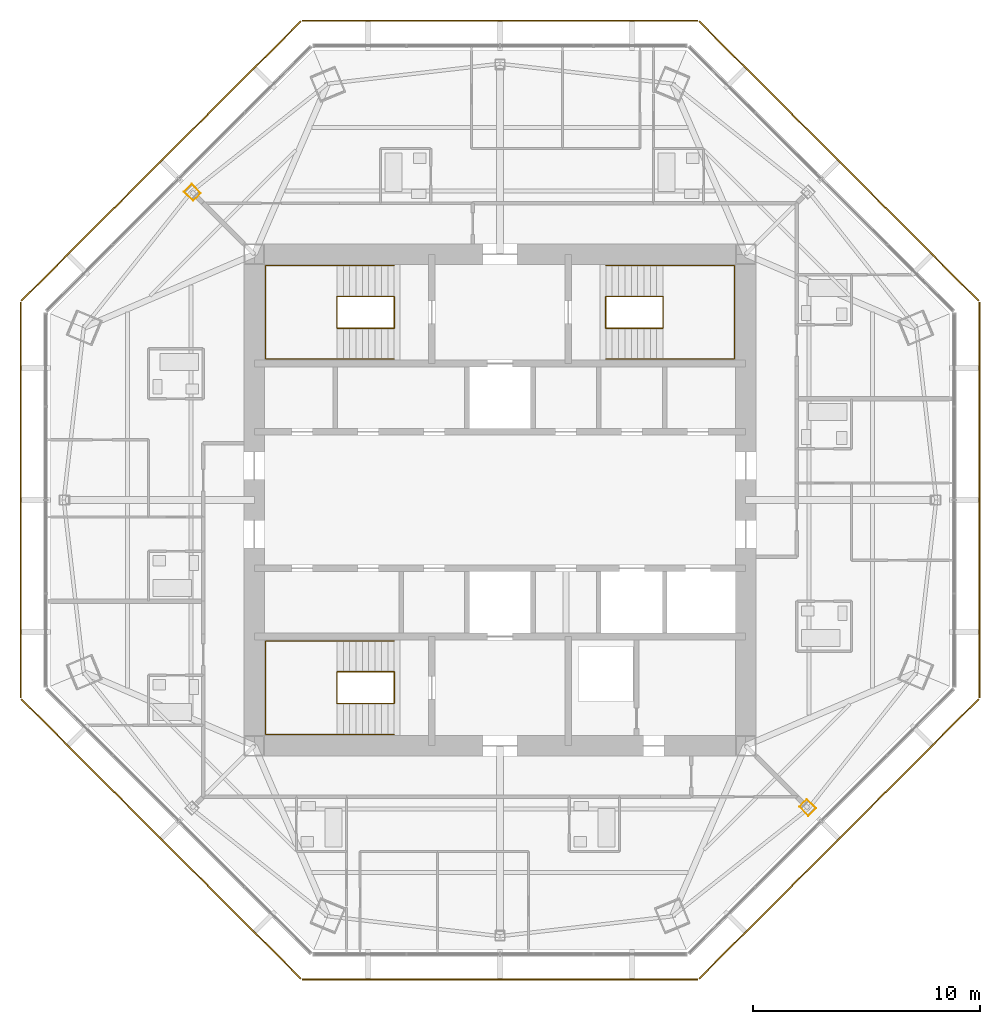
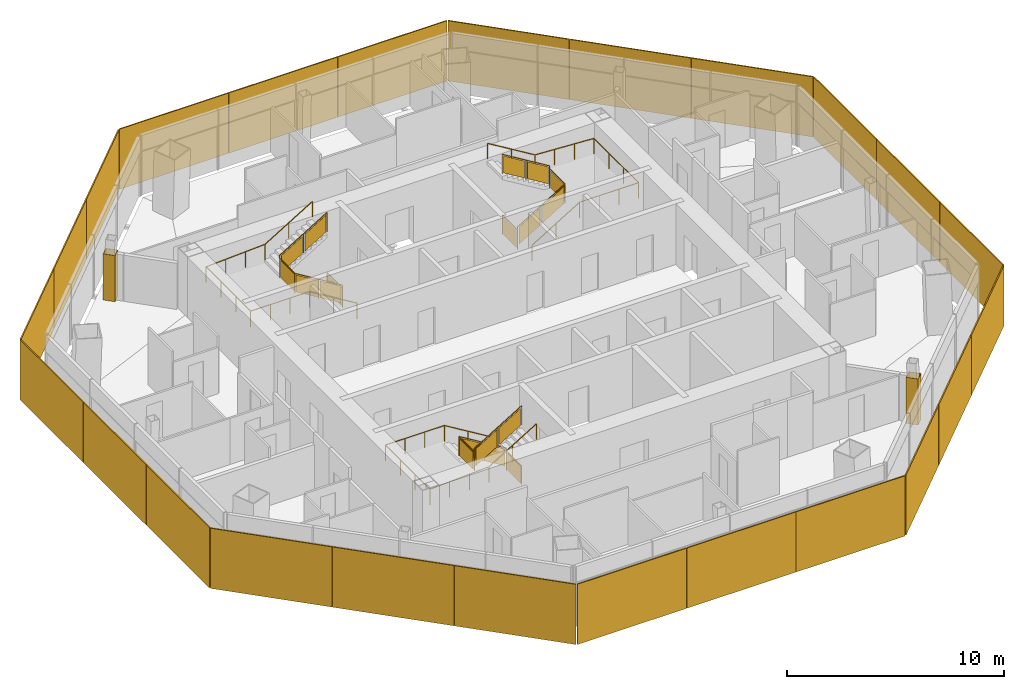
# One storey, part 13 of 14: 24 shading devices, 6 railings, 2 coverings.
"""IFC4 building model written with IfcOpenShell, lengths in metres."""

import ifcopenshell
import ifcopenshell.guid

model = None  # the IFC model being written
_history = None  # IfcOwnerHistory: only IFC2X3 demands one
_inside = {}  # id of a spatial element -> (the spatial element, [elements in it])
_under = {}  # id of a project, library or spatial element -> (it, [spatial elements below it])
_declared = {}  # id of a project -> (the project, [libraries it declares])
_typed = {}  # id of a type object -> (the type object, [elements of that type])
_made_of = {}  # id of a material, layer set ... -> (it, [elements and type objects made of it])


def new_model(schema):
    """Start an empty IFC model of exactly this schema.

    Asked for "IFC4X3", IfcOpenShell would pick the latest addendum, in which some entities
    have other attributes; the version numbers below select the first issue.
    IFC2X3 requires an IfcOwnerHistory on every rooted entity: one is made here for all.
    """
    global model, _history
    if schema == "IFC4X3":
        model = ifcopenshell.file(schema_version=(4, 3, 0, 0))
    else:
        model = ifcopenshell.file(schema=schema)
    _inside.clear()
    _under.clear()
    _declared.clear()
    _typed.clear()
    _made_of.clear()
    _history = None
    if model.schema == "IFC2X3":
        org = make("IfcOrganization", Name="unknown")
        user = make(
            "IfcPersonAndOrganization",
            ThePerson=make("IfcPerson", FamilyName="unknown"),
            TheOrganization=org,
        )
        app = make(
            "IfcApplication",
            ApplicationDeveloper=org,
            Version="unknown",
            ApplicationFullName="unknown",
            ApplicationIdentifier="unknown",
        )
        _history = make(
            "IfcOwnerHistory",
            OwningUser=user,
            OwningApplication=app,
            ChangeAction="ADDED",
            CreationDate=0,
        )
    return model


def make(cls, **values):
    """One entity of the class cls with the attributes given. An attribute that is None is left unset."""
    return model.create_entity(
        cls, **{name: value for name, value in values.items() if value is not None}
    )


def rooted(cls, **values):
    """An entity with a GlobalId (a new one), such as an element, a storey or a relation."""
    return make(cls, GlobalId=ifcopenshell.guid.new(), OwnerHistory=_history, **values)


def si_unit(unit_type, name, prefix=None):
    """IfcSIUnit, for example si_unit("LENGTHUNIT", "METRE", prefix="MILLI")."""
    return make("IfcSIUnit", UnitType=unit_type, Prefix=prefix, Name=name)


def assignment(units):
    """IfcUnitAssignment: the units of a project."""
    return None if units is None else make("IfcUnitAssignment", Units=units)


def point(xyz):
    """IfcCartesianPoint."""
    return None if xyz is None else make("IfcCartesianPoint", Coordinates=xyz)


def direction(xyz):
    """IfcDirection."""
    return None if xyz is None else make("IfcDirection", DirectionRatios=xyz)


def frame(location, z_axis=None, x_axis=None):
    """IfcAxis2Placement3D, a coordinate frame: its origin and axes. An axis left out is left unset."""
    return make(
        "IfcAxis2Placement3D",
        Location=point(location),
        Axis=direction(z_axis),
        RefDirection=direction(x_axis),
    )


def frame_2d(location, x_axis=None):
    """IfcAxis2Placement2D, a coordinate frame in the plane: its origin and x axis."""
    return make(
        "IfcAxis2Placement2D", Location=point(location), RefDirection=direction(x_axis)
    )


def origin():
    """The frame at (0, 0, 0) with its axes left unset."""
    return frame((0.0, 0.0, 0.0))


def origin_2d():
    """The frame at (0, 0) in the plane with its x axis left unset."""
    return frame_2d((0.0, 0.0))


def place(relative_to, where):
    """IfcLocalPlacement: puts the frame where relative to a parent placement (None: the world)."""
    return make(
        "IfcLocalPlacement", PlacementRelTo=relative_to, RelativePlacement=where
    )


def context(
    kind, dimensions, precision=None, world=None, true_north=None, identifier=None
):
    """IfcGeometricRepresentationContext, for example the 3D "Model" context."""
    return make(
        "IfcGeometricRepresentationContext",
        ContextIdentifier=identifier,
        ContextType=kind,
        CoordinateSpaceDimension=dimensions,
        Precision=precision,
        WorldCoordinateSystem=world,
        TrueNorth=true_north,
    )


def subcontext(parent, identifier, kind, view, scale=None):
    """IfcGeometricRepresentationSubContext, for example "Body" below "Model"."""
    return make(
        "IfcGeometricRepresentationSubContext",
        ContextIdentifier=identifier,
        ContextType=kind,
        ParentContext=parent,
        TargetScale=scale,
        TargetView=view,
    )


def project(units=None, contexts=None):
    """IfcProject with its units and contexts."""
    return rooted(
        "IfcProject",
        Name="project",
        RepresentationContexts=contexts,
        UnitsInContext=assignment(units),
    )


def spatial(cls, under=None, at=None, **own):
    """A site, building, storey or space (cls), placed at a placement, below another one or the project."""
    s = rooted(cls, ObjectPlacement=at, **own)
    if under is not None:
        _under.setdefault(under.id(), (under, []))[1].append(s)
    return s


def polyline(points):
    """IfcPolyline through the points."""
    return make("IfcPolyline", Points=[point(p) for p in points])


def profile(cls, at=None, kind="AREA", **sizes):
    """A parametric profile (cls). Its sizes go by their IFC names, for example OverallWidth=200.0."""
    return make(cls, ProfileType=kind, Position=at, **sizes)


def rectangle(**sizes):
    """IfcRectangleProfileDef."""
    return profile("IfcRectangleProfileDef", **sizes)


def circle(**sizes):
    """IfcCircleProfileDef."""
    return profile("IfcCircleProfileDef", **sizes)


def outline(outer, holes=None, kind="AREA"):
    """IfcArbitraryClosedProfileDef: a profile drawn as a closed curve; with holes, ...WithVoids."""
    if holes is None:
        return make("IfcArbitraryClosedProfileDef", ProfileType=kind, OuterCurve=outer)
    return make(
        "IfcArbitraryProfileDefWithVoids",
        ProfileType=kind,
        OuterCurve=outer,
        InnerCurves=holes,
    )


def extrude(swept, where, along, depth):
    """IfcExtrudedAreaSolid: the profile swept, set in the frame where, extruded along a direction by depth."""
    return make(
        "IfcExtrudedAreaSolid",
        SweptArea=swept,
        Position=where,
        ExtrudedDirection=direction(along),
        Depth=depth,
    )


def shape(context_of_items, identifier, shape_type, items):
    """IfcShapeRepresentation: the items that make up one representation, for example the "Body"."""
    return make(
        "IfcShapeRepresentation",
        ContextOfItems=context_of_items,
        RepresentationIdentifier=identifier,
        RepresentationType=shape_type,
        Items=items,
    )


def source(mapping_origin, context_of_items, identifier, shape_type, items):
    """IfcRepresentationMap: a shape defined once, which mapped items show again and again."""
    return make(
        "IfcRepresentationMap",
        MappingOrigin=mapping_origin,
        MappedRepresentation=shape(context_of_items, identifier, shape_type, items),
    )


def transform(
    local_origin,
    x_axis=None,
    y_axis=None,
    z_axis=None,
    scale=None,
    scale2=None,
    scale3=None,
    uniform=True,
):
    """IfcCartesianTransformationOperator3D, or its non-uniform kind. x_axis, y_axis, z_axis: its Axis1, 2, 3."""
    if uniform:
        return make(
            "IfcCartesianTransformationOperator3D",
            Axis1=direction(x_axis),
            Axis2=direction(y_axis),
            LocalOrigin=point(local_origin),
            Scale=scale,
            Axis3=direction(z_axis),
        )
    return make(
        "IfcCartesianTransformationOperator3DnonUniform",
        Axis1=direction(x_axis),
        Axis2=direction(y_axis),
        LocalOrigin=point(local_origin),
        Scale=scale,
        Axis3=direction(z_axis),
        Scale2=scale2,
        Scale3=scale3,
    )


def mapped(mapping_source, mapping_target):
    """IfcMappedItem: shows the shape of a source again, moved by a transform."""
    return make(
        "IfcMappedItem", MappingSource=mapping_source, MappingTarget=mapping_target
    )


def material(Name=None, Category=None):
    """IfcMaterial."""
    return make("IfcMaterial", Name=Name, Category=Category)


def layer(
    of_material, thickness, ventilated=None, Name=None, Category=None, Priority=None
):
    """IfcMaterialLayer: one layer of a wall or slab, of a material (None: an air gap)."""
    return make(
        "IfcMaterialLayer",
        Material=of_material,
        LayerThickness=thickness,
        IsVentilated=ventilated,
        Name=Name,
        Category=Category,
        Priority=Priority,
    )


def layer_set(layers, Name=None):
    """IfcMaterialLayerSet."""
    return make("IfcMaterialLayerSet", MaterialLayers=layers, LayerSetName=Name)


def made_of(thing, what):
    """Note that an element or type object is made of a material, layer set ...; save() writes the relation."""
    if what is not None:
        _made_of.setdefault(what.id(), (what, []))[1].append(thing)
    return thing


def type_object(cls, material=None, **own):
    """A type object (cls), such as IfcWallType, which elements share."""
    return made_of(rooted(cls, **own), material)


def type_shapes(of_type, sources):
    """Give a type object the sources (RepresentationMaps) that its elements show as mapped items."""
    of_type.RepresentationMaps = sources


def element(
    cls,
    number,
    at=None,
    inside=None,
    cuts=None,
    type_object=None,
    material=None,
    context=None,
    identifier="Body",
    shape_type=None,
    held_by="IfcProductDefinitionShape",
    body=None,
    shapes=None,
    **own,
):
    """One element of the class cls, such as IfcWall. Its Tag is "e" and its number.

    at: its placement. inside: the storey or other place that contains it. cuts: it is an
    opening in that element (IfcRelVoidsElement). A single representation is given by context,
    identifier, shape_type and body (its items); several are given by shapes. held_by: the class
    of the entity that holds the representations. save() writes the other relations.
    """
    e = rooted(cls, Tag="e%d" % number, ObjectPlacement=at, **own)
    if body is not None:
        shapes = [shape(context, identifier, shape_type, body)]
    if shapes is not None:
        e.Representation = make(held_by, Representations=shapes)
    if inside is not None:
        _inside.setdefault(inside.id(), (inside, []))[1].append(e)
    if cuts is not None:
        rooted(
            "IfcRelVoidsElement", RelatingBuildingElement=cuts, RelatedOpeningElement=e
        )
    if type_object is not None:
        _typed.setdefault(type_object.id(), (type_object, []))[1].append(e)
    return made_of(e, material)


def aggregate(whole, parts):
    """IfcRelAggregates: a whole, such as a stair, and the parts it consists of."""
    return rooted("IfcRelAggregates", RelatingObject=whole, RelatedObjects=parts)


def save(model, path):
    """Write the relations noted so far, then the file.

    IfcRelAggregates (storeys below a building ...), IfcRelContainedInSpatialStructure (elements
    in a storey), IfcRelDefinesByType, IfcRelAssociatesMaterial and IfcRelDeclares: one each for
    every whole, place, type object, material and project.
    """
    for whole, parts in _under.values():
        aggregate(whole, parts)
    for where, things in _inside.values():
        rooted(
            "IfcRelContainedInSpatialStructure",
            RelatedElements=things,
            RelatingStructure=where,
        )
    for kind, things in _typed.values():
        rooted("IfcRelDefinesByType", RelatedObjects=things, RelatingType=kind)
    for what, things in _made_of.values():
        rooted("IfcRelAssociatesMaterial", RelatedObjects=things, RelatingMaterial=what)
    for by, libraries in _declared.values():
        rooted("IfcRelDeclares", RelatingContext=by, RelatedDefinitions=libraries)
    model.write(path)


model = new_model("IFC4")

# Units and contexts
model_context = context("Model", 3, precision=1e-05, world=origin(), true_north=direction((0.0, 1.0)))
body_context = subcontext(model_context, "Body", "Model", "MODEL_VIEW")
ifc_project = project(units=[si_unit("LENGTHUNIT", "METRE"), si_unit("AREAUNIT", "SQUARE_METRE"), si_unit("VOLUMEUNIT", "CUBIC_METRE"), si_unit("PLANEANGLEUNIT", "RADIAN"), si_unit("MASSUNIT", "GRAM", prefix="KILO")], contexts=[model_context])

# Site, building, storey
site_placement = place(None, origin())
site = spatial("IfcSite", under=ifc_project, at=site_placement, CompositionType="ELEMENT")
building_placement = place(site_placement, origin())
building = spatial("IfcBuilding", under=site, at=building_placement, Name="Mashrafa Tower", CompositionType="ELEMENT")
storey_placement = place(building_placement, frame((0.0, 0.0, 284.39990234375)))
storey = spatial("IfcBuildingStorey", under=building, at=storey_placement, Name="L69", CompositionType="ELEMENT", Elevation=284.39990234375)

# Coverings
ifc_material_1 = material(Name="Gypsum board")
ifc_layer_1 = layer(ifc_material_1, 0.014892578125)
ifc_layer_set_1 = layer_set([ifc_layer_1], Name="Column casing plasterboard 15")
covering_type = type_object("IfcCoveringType", Name="Column casing plasterboard 15", PredefinedType="CLADDING", material=ifc_layer_set_1)
covering_1_placement = place(storey_placement, origin())
element("IfcCovering", 1, at=covering_1_placement, inside=storey, type_object=covering_type, Name="Column casing L69-001", PredefinedType="CLADDING", context=body_context, shape_type="SweptSolid", body=[
    extrude(outline(polyline([(-13.894287109375, 13.554931640625), (-13.554931640625, 13.894287109375), (-13.1474609375, 13.48681640625), (-13.48681640625, 13.1474609375), (-13.894287109375, 13.554931640625)]), holes=[polyline([(-13.168701171875, 13.48681640625), (-13.554931640625, 13.873046875), (-13.873046875, 13.554931640625), (-13.48681640625, 13.168701171875), (-13.168701171875, 13.48681640625)])]), origin(), (0.0, 0.0, 1.0), 2.590576171875),
])
covering_2_placement = place(storey_placement, origin())
element("IfcCovering", 2, at=covering_2_placement, inside=storey, type_object=covering_type, Name="Column casing L69-002", PredefinedType="CLADDING", context=body_context, shape_type="SweptSolid", body=[
    extrude(outline(polyline([(13.1474609375, -13.48681640625), (13.48681640625, -13.1474609375), (13.894287109375, -13.554931640625), (13.554931640625, -13.894287109375), (13.1474609375, -13.48681640625)]), holes=[polyline([(13.873046875, -13.554931640625), (13.48681640625, -13.168701171875), (13.168701171875, -13.48681640625), (13.554931640625, -13.873046875), (13.873046875, -13.554931640625)])]), origin(), (0.0, 0.0, 1.0), 2.590576171875),
])

# Railings
ifc_material_2 = material(Name="Steel guard with glass infill", Category="steel")
railing_type_1 = type_object("IfcRailingType", Name="Stair guard 1100", PredefinedType="GUARDRAIL", material=ifc_material_2)
railing_1_placement = place(storey_placement, frame((-4.64990234375, 8.949951171875, 0.0)))
element("IfcRailing", 3, at=railing_1_placement, inside=storey, type_object=railing_type_1, Name="Stair S1 guard L69", PredefinedType="GUARDRAIL", context=body_context, shape_type="SweptSolid", body=[
    extrude(circle(Radius=0.02392578125, at=origin_2d()), frame((0.0, 0.0, 1.076171875), z_axis=(0.0, -1.0, 0.0), x_axis=(1.0, 0.0, 0.0)), (0.0, 0.0, 1.0), 1.39990234375),
    extrude(circle(Radius=0.02392578125, at=origin_2d()), frame((0.0, -1.39990234375, 1.076171875), z_axis=(0.0, 0.0, 1.0), x_axis=(1.0, 0.0, 0.0)), (0.0, 0.0, 1.0), 0.170166015625),
    extrude(circle(Radius=0.02392578125, at=origin_2d()), frame((0.0, -1.39990234375, 1.24609375), z_axis=(-0.85478489116, 0.0, 0.518982456201), x_axis=(0.0, -1.0, 0.0)), (0.0, 0.0, 1.0), 2.9482421875),
    extrude(circle(Radius=0.02392578125, at=origin_2d()), frame((-2.52001953125, -1.39990234375, 2.7763671875), z_axis=(0.0, 1.0, 0.0), x_axis=(-1.0, 0.0, 0.0)), (0.0, 0.0, 1.0), 1.39990234375),
    extrude(circle(Radius=0.02392578125, at=origin_2d()), frame((-2.52001953125, 0.0, 2.7763671875), z_axis=(0.0, 0.0, 1.0), x_axis=(1.0, 0.0, 0.0)), (0.0, 0.0, 1.0), 0.169921875),
    extrude(circle(Radius=0.02392578125, at=origin_2d()), frame((-2.52001953125, 0.0, 2.9462890625), z_axis=(0.85478489116, 0.0, 0.518982456201), x_axis=(0.0, 1.0, 0.0)), (0.0, 0.0, 1.0), 2.9482421875),
    extrude(circle(Radius=0.02099609375, at=origin_2d()), origin(), (0.0, 0.0, 1.0), 1.052001953125),
    extrude(circle(Radius=0.02099609375, at=origin_2d()), frame((0.0, -1.39990234375, 0.0)), (0.0, 0.0, 1.0), 1.052001953125),
    extrude(circle(Radius=0.02099609375, at=origin_2d()), frame((0.0, -1.39990234375, 0.170166015625)), (0.0, 0.0, 1.0), 1.052001953125),
    extrude(circle(Radius=0.02099609375, at=origin_2d()), frame((-1.260009765625, -1.39990234375, 0.93505859375)), (0.0, 0.0, 1.0), 1.052001953125),
    extrude(circle(Radius=0.02099609375, at=origin_2d()), frame((-2.52001953125, -1.39990234375, 1.7001953125)), (0.0, 0.0, 1.0), 1.052001953125),
    extrude(circle(Radius=0.02099609375, at=origin_2d()), frame((-2.52001953125, 0.0, 1.7001953125)), (0.0, 0.0, 1.0), 1.052001953125),
    extrude(circle(Radius=0.02099609375, at=origin_2d()), frame((-2.52001953125, 0.0, 1.8701171875)), (0.0, 0.0, 1.0), 1.052001953125),
    extrude(circle(Radius=0.02099609375, at=origin_2d()), frame((-1.260009765625, 0.0, 2.63525390625)), (0.0, 0.0, 1.0), 1.052001953125),
    extrude(circle(Radius=0.02099609375, at=origin_2d()), frame((0.0, 0.0, 3.400146484375)), (0.0, 0.0, 1.0), 1.052001953125),
    extrude(outline(polyline([(0.071044921875, 0.050048828125), (1.328857421875, 0.050048828125), (1.328857421875, 1.001953125), (0.071044921875, 1.001953125), (0.071044921875, 0.050048828125)])), frame((-0.006103515625, 0.0, 0.0), z_axis=(-1.0, 0.0, 0.0), x_axis=(0.0, -1.0, 0.0)), (0.0, 0.0, 1.0), 0.011962890625),
    extrude(outline(polyline([(0.071044921875, 0.093017578125), (1.18896484375, 0.77197265625), (1.18896484375, 1.723876953125), (0.071044921875, 1.045166015625), (0.071044921875, 0.093017578125)])), frame((0.0, -1.393798828125, 0.170166015625), z_axis=(0.0, 1.0, 0.0), x_axis=(-1.0, 0.0, 0.0)), (0.0, 0.0, 1.0), 0.011962890625),
    extrude(outline(polyline([(1.3310546875, 0.858154296875), (2.448974609375, 1.536865234375), (2.448974609375, 2.489013671875), (1.3310546875, 1.81005859375), (1.3310546875, 0.858154296875)])), frame((0.0, -1.393798828125, 0.170166015625), z_axis=(0.0, 1.0, 0.0), x_axis=(-1.0, 0.0, 0.0)), (0.0, 0.0, 1.0), 0.011962890625),
    extrude(outline(polyline([(0.071044921875, 0.050048828125), (1.328857421875, 0.050048828125), (1.328857421875, 1.001953125), (0.071044921875, 1.001953125), (0.071044921875, 0.050048828125)])), frame((-2.513916015625, -1.39990234375, 1.7001953125), z_axis=(1.0, 0.0, 0.0), x_axis=(0.0, 1.0, 0.0)), (0.0, 0.0, 1.0), 0.011962890625),
    extrude(outline(polyline([(0.071044921875, 0.093017578125), (1.18896484375, 0.77197265625), (1.18896484375, 1.723876953125), (0.071044921875, 1.045166015625), (0.071044921875, 0.093017578125)])), frame((-2.52001953125, -0.006103515625, 1.8701171875), z_axis=(0.0, -1.0, 0.0), x_axis=(1.0, 0.0, 0.0)), (0.0, 0.0, 1.0), 0.011962890625),
    extrude(outline(polyline([(1.3310546875, 0.858154296875), (2.448974609375, 1.536865234375), (2.448974609375, 2.489013671875), (1.3310546875, 1.81005859375), (1.3310546875, 0.858154296875)])), frame((-2.52001953125, -0.006103515625, 1.8701171875), z_axis=(0.0, -1.0, 0.0), x_axis=(1.0, 0.0, 0.0)), (0.0, 0.0, 1.0), 0.011962890625),
])
railing_2_placement = place(storey_placement, frame((4.64990234375, 8.949951171875, 0.0)))
element("IfcRailing", 4, at=railing_2_placement, inside=storey, type_object=railing_type_1, Name="Stair S2 guard L69", PredefinedType="GUARDRAIL", context=body_context, shape_type="SweptSolid", body=[
    extrude(circle(Radius=0.02392578125, at=origin_2d()), frame((0.0, 0.0, 1.076171875), z_axis=(0.0, -1.0, 0.0), x_axis=(1.0, 0.0, 0.0)), (0.0, 0.0, 1.0), 1.39990234375),
    extrude(circle(Radius=0.02392578125, at=origin_2d()), frame((0.0, -1.39990234375, 1.076171875), z_axis=(0.0, 0.0, 1.0), x_axis=(1.0, 0.0, 0.0)), (0.0, 0.0, 1.0), 0.170166015625),
    extrude(circle(Radius=0.02392578125, at=origin_2d()), frame((0.0, -1.39990234375, 1.24609375), z_axis=(0.85478489116, 0.0, 0.518982456201), x_axis=(0.0, 1.0, 0.0)), (0.0, 0.0, 1.0), 2.9482421875),
    extrude(circle(Radius=0.02392578125, at=origin_2d()), frame((2.52001953125, -1.39990234375, 2.7763671875), z_axis=(0.0, 1.0, 0.0), x_axis=(-1.0, 0.0, 0.0)), (0.0, 0.0, 1.0), 1.39990234375),
    extrude(circle(Radius=0.02392578125, at=origin_2d()), frame((2.52001953125, 0.0, 2.7763671875), z_axis=(0.0, 0.0, 1.0), x_axis=(1.0, 0.0, 0.0)), (0.0, 0.0, 1.0), 0.169921875),
    extrude(circle(Radius=0.02392578125, at=origin_2d()), frame((2.52001953125, 0.0, 2.9462890625), z_axis=(-0.85478489116, 0.0, 0.518982456201), x_axis=(0.0, -1.0, 0.0)), (0.0, 0.0, 1.0), 2.9482421875),
    extrude(circle(Radius=0.02099609375, at=origin_2d()), origin(), (0.0, 0.0, 1.0), 1.052001953125),
    extrude(circle(Radius=0.02099609375, at=origin_2d()), frame((0.0, -1.39990234375, 0.0)), (0.0, 0.0, 1.0), 1.052001953125),
    extrude(circle(Radius=0.02099609375, at=origin_2d()), frame((0.0, -1.39990234375, 0.170166015625)), (0.0, 0.0, 1.0), 1.052001953125),
    extrude(circle(Radius=0.02099609375, at=origin_2d()), frame((1.260009765625, -1.39990234375, 0.93505859375)), (0.0, 0.0, 1.0), 1.052001953125),
    extrude(circle(Radius=0.02099609375, at=origin_2d()), frame((2.52001953125, -1.39990234375, 1.7001953125)), (0.0, 0.0, 1.0), 1.052001953125),
    extrude(circle(Radius=0.02099609375, at=origin_2d()), frame((2.52001953125, 0.0, 1.7001953125)), (0.0, 0.0, 1.0), 1.052001953125),
    extrude(circle(Radius=0.02099609375, at=origin_2d()), frame((2.52001953125, 0.0, 1.8701171875)), (0.0, 0.0, 1.0), 1.052001953125),
    extrude(circle(Radius=0.02099609375, at=origin_2d()), frame((1.260009765625, 0.0, 2.63525390625)), (0.0, 0.0, 1.0), 1.052001953125),
    extrude(circle(Radius=0.02099609375, at=origin_2d()), frame((0.0, 0.0, 3.400146484375)), (0.0, 0.0, 1.0), 1.052001953125),
    extrude(outline(polyline([(0.071044921875, 0.050048828125), (1.328857421875, 0.050048828125), (1.328857421875, 1.001953125), (0.071044921875, 1.001953125), (0.071044921875, 0.050048828125)])), frame((-0.006103515625, 0.0, 0.0), z_axis=(-1.0, 0.0, 0.0), x_axis=(0.0, -1.0, 0.0)), (0.0, 0.0, 1.0), 0.011962890625),
    extrude(outline(polyline([(0.071044921875, 0.093017578125), (1.18896484375, 0.77197265625), (1.18896484375, 1.723876953125), (0.071044921875, 1.045166015625), (0.071044921875, 0.093017578125)])), frame((0.0, -1.406005859375, 0.170166015625), z_axis=(0.0, -1.0, 0.0), x_axis=(1.0, 0.0, 0.0)), (0.0, 0.0, 1.0), 0.011962890625),
    extrude(outline(polyline([(1.3310546875, 0.858154296875), (2.448974609375, 1.536865234375), (2.448974609375, 2.489013671875), (1.3310546875, 1.81005859375), (1.3310546875, 0.858154296875)])), frame((0.0, -1.406005859375, 0.170166015625), z_axis=(0.0, -1.0, 0.0), x_axis=(1.0, 0.0, 0.0)), (0.0, 0.0, 1.0), 0.011962890625),
    extrude(outline(polyline([(0.071044921875, 0.050048828125), (1.328857421875, 0.050048828125), (1.328857421875, 1.001953125), (0.071044921875, 1.001953125), (0.071044921875, 0.050048828125)])), frame((2.526123046875, -1.39990234375, 1.7001953125), z_axis=(1.0, 0.0, 0.0), x_axis=(0.0, 1.0, 0.0)), (0.0, 0.0, 1.0), 0.011962890625),
    extrude(outline(polyline([(0.071044921875, 0.093017578125), (1.18896484375, 0.77197265625), (1.18896484375, 1.723876953125), (0.071044921875, 1.045166015625), (0.071044921875, 0.093017578125)])), frame((2.52001953125, 0.006103515625, 1.8701171875), z_axis=(0.0, 1.0, 0.0), x_axis=(-1.0, 0.0, 0.0)), (0.0, 0.0, 1.0), 0.011962890625),
    extrude(outline(polyline([(1.3310546875, 0.858154296875), (2.448974609375, 1.536865234375), (2.448974609375, 2.489013671875), (1.3310546875, 1.81005859375), (1.3310546875, 0.858154296875)])), frame((2.52001953125, 0.006103515625, 1.8701171875), z_axis=(0.0, 1.0, 0.0), x_axis=(-1.0, 0.0, 0.0)), (0.0, 0.0, 1.0), 0.011962890625),
])
railing_3_placement = place(storey_placement, frame((-4.64990234375, -8.949951171875, 0.0)))
element("IfcRailing", 5, at=railing_3_placement, inside=storey, type_object=railing_type_1, Name="Stair S3 guard L69", PredefinedType="GUARDRAIL", context=body_context, shape_type="SweptSolid", body=[
    extrude(circle(Radius=0.02392578125, at=origin_2d()), frame((0.0, 0.0, 1.076171875), z_axis=(0.0, 1.0, 0.0), x_axis=(-1.0, 0.0, 0.0)), (0.0, 0.0, 1.0), 1.39990234375),
    extrude(circle(Radius=0.02392578125, at=origin_2d()), frame((0.0, 1.39990234375, 1.076171875), z_axis=(0.0, 0.0, 1.0), x_axis=(1.0, 0.0, 0.0)), (0.0, 0.0, 1.0), 0.170166015625),
    extrude(circle(Radius=0.02392578125, at=origin_2d()), frame((0.0, 1.39990234375, 1.24609375), z_axis=(-0.85478489116, 0.0, 0.518982456201), x_axis=(0.0, -1.0, 0.0)), (0.0, 0.0, 1.0), 2.9482421875),
    extrude(circle(Radius=0.02392578125, at=origin_2d()), frame((-2.52001953125, 1.39990234375, 2.7763671875), z_axis=(0.0, -1.0, 0.0), x_axis=(1.0, 0.0, 0.0)), (0.0, 0.0, 1.0), 1.39990234375),
    extrude(circle(Radius=0.02392578125, at=origin_2d()), frame((-2.52001953125, 0.0, 2.7763671875), z_axis=(0.0, 0.0, 1.0), x_axis=(1.0, 0.0, 0.0)), (0.0, 0.0, 1.0), 0.169921875),
    extrude(circle(Radius=0.02392578125, at=origin_2d()), frame((-2.52001953125, 0.0, 2.9462890625), z_axis=(0.85478489116, 0.0, 0.518982456201), x_axis=(0.0, 1.0, 0.0)), (0.0, 0.0, 1.0), 2.9482421875),
    extrude(circle(Radius=0.02099609375, at=origin_2d()), origin(), (0.0, 0.0, 1.0), 1.052001953125),
    extrude(circle(Radius=0.02099609375, at=origin_2d()), frame((0.0, 1.39990234375, 0.0)), (0.0, 0.0, 1.0), 1.052001953125),
    extrude(circle(Radius=0.02099609375, at=origin_2d()), frame((0.0, 1.39990234375, 0.170166015625)), (0.0, 0.0, 1.0), 1.052001953125),
    extrude(circle(Radius=0.02099609375, at=origin_2d()), frame((-1.260009765625, 1.39990234375, 0.93505859375)), (0.0, 0.0, 1.0), 1.052001953125),
    extrude(circle(Radius=0.02099609375, at=origin_2d()), frame((-2.52001953125, 1.39990234375, 1.7001953125)), (0.0, 0.0, 1.0), 1.052001953125),
    extrude(circle(Radius=0.02099609375, at=origin_2d()), frame((-2.52001953125, 0.0, 1.7001953125)), (0.0, 0.0, 1.0), 1.052001953125),
    extrude(circle(Radius=0.02099609375, at=origin_2d()), frame((-2.52001953125, 0.0, 1.8701171875)), (0.0, 0.0, 1.0), 1.052001953125),
    extrude(circle(Radius=0.02099609375, at=origin_2d()), frame((-1.260009765625, 0.0, 2.63525390625)), (0.0, 0.0, 1.0), 1.052001953125),
    extrude(circle(Radius=0.02099609375, at=origin_2d()), frame((0.0, 0.0, 3.400146484375)), (0.0, 0.0, 1.0), 1.052001953125),
    extrude(outline(polyline([(0.071044921875, 0.050048828125), (1.328857421875, 0.050048828125), (1.328857421875, 1.001953125), (0.071044921875, 1.001953125), (0.071044921875, 0.050048828125)])), frame((0.006103515625, 0.0, 0.0), z_axis=(1.0, 0.0, 0.0), x_axis=(0.0, 1.0, 0.0)), (0.0, 0.0, 1.0), 0.011962890625),
    extrude(outline(polyline([(0.071044921875, 0.093017578125), (1.18896484375, 0.77197265625), (1.18896484375, 1.723876953125), (0.071044921875, 1.045166015625), (0.071044921875, 0.093017578125)])), frame((0.0, 1.406005859375, 0.170166015625), z_axis=(0.0, 1.0, 0.0), x_axis=(-1.0, 0.0, 0.0)), (0.0, 0.0, 1.0), 0.011962890625),
    extrude(outline(polyline([(1.3310546875, 0.858154296875), (2.448974609375, 1.536865234375), (2.448974609375, 2.489013671875), (1.3310546875, 1.81005859375), (1.3310546875, 0.858154296875)])), frame((0.0, 1.406005859375, 0.170166015625), z_axis=(0.0, 1.0, 0.0), x_axis=(-1.0, 0.0, 0.0)), (0.0, 0.0, 1.0), 0.011962890625),
    extrude(outline(polyline([(0.071044921875, 0.050048828125), (1.328857421875, 0.050048828125), (1.328857421875, 1.001953125), (0.071044921875, 1.001953125), (0.071044921875, 0.050048828125)])), frame((-2.526123046875, 1.39990234375, 1.7001953125), z_axis=(-1.0, 0.0, 0.0), x_axis=(0.0, -1.0, 0.0)), (0.0, 0.0, 1.0), 0.011962890625),
    extrude(outline(polyline([(0.071044921875, 0.093017578125), (1.18896484375, 0.77197265625), (1.18896484375, 1.723876953125), (0.071044921875, 1.045166015625), (0.071044921875, 0.093017578125)])), frame((-2.52001953125, -0.006103515625, 1.8701171875), z_axis=(0.0, -1.0, 0.0), x_axis=(1.0, 0.0, 0.0)), (0.0, 0.0, 1.0), 0.011962890625),
    extrude(outline(polyline([(1.3310546875, 0.858154296875), (2.448974609375, 1.536865234375), (2.448974609375, 2.489013671875), (1.3310546875, 1.81005859375), (1.3310546875, 0.858154296875)])), frame((-2.52001953125, -0.006103515625, 1.8701171875), z_axis=(0.0, -1.0, 0.0), x_axis=(1.0, 0.0, 0.0)), (0.0, 0.0, 1.0), 0.011962890625),
])
ifc_material_3 = material(Name="Steel", Category="steel")
railing_type_2 = type_object("IfcRailingType", Name="Stair handrail 900", PredefinedType="HANDRAIL", material=ifc_material_3)
railing_4_placement = place(storey_placement, frame((-4.64990234375, 6.199951171875, 0.170166015625)))
element("IfcRailing", 6, at=railing_4_placement, inside=storey, type_object=railing_type_2, Name="Stair S1 handrail L69", PredefinedType="HANDRAIL", context=body_context, shape_type="SweptSolid", body=[
    extrude(circle(Radius=0.02392578125, at=origin_2d()), frame((0.0, 0.0, 0.8759765625), z_axis=(-0.85478489116, 0.0, 0.518982456201), x_axis=(0.0, -1.0, 0.0)), (0.0, 0.0, 1.0), 2.9482421875),
    extrude(circle(Radius=0.02392578125, at=origin_2d()), frame((-2.52001953125, 0.0, 2.40576171875), z_axis=(-1.0, 0.0, 0.0), x_axis=(0.0, -1.0, 0.0)), (0.0, 0.0, 1.0), 3.130126953125),
    extrude(circle(Radius=0.02392578125, at=origin_2d()), frame((-5.650146484375, 0.0, 2.40576171875), z_axis=(0.0, 1.0, 0.0), x_axis=(-1.0, 0.0, 0.0)), (0.0, 0.0, 1.0), 4.10009765625),
    extrude(circle(Radius=0.02392578125, at=origin_2d()), frame((-5.650146484375, 4.10009765625, 2.40576171875), z_axis=(0.998529767259, 0.0, 0.054206124172), x_axis=(0.0, 1.0, 0.0)), (0.0, 0.0, 1.0), 3.134765625),
    extrude(circle(Radius=0.02392578125, at=origin_2d()), frame((-2.52001953125, 4.10009765625, 2.57568359375), z_axis=(0.85478489116, 0.0, 0.518982456201), x_axis=(0.0, 1.0, 0.0)), (0.0, 0.0, 1.0), 2.9482421875),
    extrude(circle(Radius=0.02099609375, at=origin_2d()), origin(), (0.0, 0.0, 1.0), 0.851806640625),
    extrude(circle(Radius=0.02099609375, at=origin_2d()), frame((-1.260009765625, 0.0, 0.76513671875)), (0.0, 0.0, 1.0), 0.851806640625),
    extrude(circle(Radius=0.02099609375, at=origin_2d()), frame((-2.52001953125, 0.0, 1.530029296875)), (0.0, 0.0, 1.0), 0.851806640625),
    extrude(circle(Radius=0.02099609375, at=origin_2d()), frame((-3.5634765625, 0.0, 1.530029296875)), (0.0, 0.0, 1.0), 0.851806640625),
    extrude(circle(Radius=0.02099609375, at=origin_2d()), frame((-4.606689453125, 0.0, 1.530029296875)), (0.0, 0.0, 1.0), 0.851806640625),
    extrude(circle(Radius=0.02099609375, at=origin_2d()), frame((-5.650146484375, 0.0, 1.530029296875)), (0.0, 0.0, 1.0), 0.851806640625),
    extrude(circle(Radius=0.02099609375, at=origin_2d()), frame((-5.650146484375, 1.36669921875, 1.530029296875)), (0.0, 0.0, 1.0), 0.851806640625),
    extrude(circle(Radius=0.02099609375, at=origin_2d()), frame((-5.650146484375, 2.7333984375, 1.530029296875)), (0.0, 0.0, 1.0), 0.851806640625),
    extrude(circle(Radius=0.02099609375, at=origin_2d()), frame((-5.650146484375, 4.10009765625, 1.530029296875)), (0.0, 0.0, 1.0), 0.851806640625),
    extrude(circle(Radius=0.02099609375, at=origin_2d()), frame((-4.606689453125, 4.10009765625, 1.586669921875)), (0.0, 0.0, 1.0), 0.851806640625),
    extrude(circle(Radius=0.02099609375, at=origin_2d()), frame((-3.5634765625, 4.10009765625, 1.643310546875)), (0.0, 0.0, 1.0), 0.851806640625),
    extrude(circle(Radius=0.02099609375, at=origin_2d()), frame((-2.52001953125, 4.10009765625, 1.699951171875)), (0.0, 0.0, 1.0), 0.851806640625),
    extrude(circle(Radius=0.02099609375, at=origin_2d()), frame((-1.260009765625, 4.10009765625, 2.46484375)), (0.0, 0.0, 1.0), 0.851806640625),
    extrude(circle(Radius=0.02099609375, at=origin_2d()), frame((0.0, 4.10009765625, 3.22998046875)), (0.0, 0.0, 1.0), 0.851806640625),
])
railing_5_placement = place(storey_placement, frame((4.64990234375, 6.199951171875, 0.170166015625)))
element("IfcRailing", 7, at=railing_5_placement, inside=storey, type_object=railing_type_2, Name="Stair S2 handrail L69", PredefinedType="HANDRAIL", context=body_context, shape_type="SweptSolid", body=[
    extrude(circle(Radius=0.02392578125, at=origin_2d()), frame((0.0, 0.0, 0.8759765625), z_axis=(0.85478489116, 0.0, 0.518982456201), x_axis=(0.0, 1.0, 0.0)), (0.0, 0.0, 1.0), 2.9482421875),
    extrude(circle(Radius=0.02392578125, at=origin_2d()), frame((2.52001953125, 0.0, 2.40576171875), z_axis=(1.0, 0.0, 0.0), x_axis=(0.0, 1.0, 0.0)), (0.0, 0.0, 1.0), 3.130126953125),
    extrude(circle(Radius=0.02392578125, at=origin_2d()), frame((5.650146484375, 0.0, 2.40576171875), z_axis=(0.0, 1.0, 0.0), x_axis=(-1.0, 0.0, 0.0)), (0.0, 0.0, 1.0), 4.10009765625),
    extrude(circle(Radius=0.02392578125, at=origin_2d()), frame((5.650146484375, 4.10009765625, 2.40576171875), z_axis=(-0.998529767259, 0.0, 0.054206124172), x_axis=(0.0, -1.0, 0.0)), (0.0, 0.0, 1.0), 3.134765625),
    extrude(circle(Radius=0.02392578125, at=origin_2d()), frame((2.52001953125, 4.10009765625, 2.57568359375), z_axis=(-0.85478489116, 0.0, 0.518982456201), x_axis=(0.0, -1.0, 0.0)), (0.0, 0.0, 1.0), 2.9482421875),
    extrude(circle(Radius=0.02099609375, at=origin_2d()), origin(), (0.0, 0.0, 1.0), 0.851806640625),
    extrude(circle(Radius=0.02099609375, at=origin_2d()), frame((1.260009765625, 0.0, 0.76513671875)), (0.0, 0.0, 1.0), 0.851806640625),
    extrude(circle(Radius=0.02099609375, at=origin_2d()), frame((2.52001953125, 0.0, 1.530029296875)), (0.0, 0.0, 1.0), 0.851806640625),
    extrude(circle(Radius=0.02099609375, at=origin_2d()), frame((3.5634765625, 0.0, 1.530029296875)), (0.0, 0.0, 1.0), 0.851806640625),
    extrude(circle(Radius=0.02099609375, at=origin_2d()), frame((4.606689453125, 0.0, 1.530029296875)), (0.0, 0.0, 1.0), 0.851806640625),
    extrude(circle(Radius=0.02099609375, at=origin_2d()), frame((5.650146484375, 0.0, 1.530029296875)), (0.0, 0.0, 1.0), 0.851806640625),
    extrude(circle(Radius=0.02099609375, at=origin_2d()), frame((5.650146484375, 1.36669921875, 1.530029296875)), (0.0, 0.0, 1.0), 0.851806640625),
    extrude(circle(Radius=0.02099609375, at=origin_2d()), frame((5.650146484375, 2.7333984375, 1.530029296875)), (0.0, 0.0, 1.0), 0.851806640625),
    extrude(circle(Radius=0.02099609375, at=origin_2d()), frame((5.650146484375, 4.10009765625, 1.530029296875)), (0.0, 0.0, 1.0), 0.851806640625),
    extrude(circle(Radius=0.02099609375, at=origin_2d()), frame((4.606689453125, 4.10009765625, 1.586669921875)), (0.0, 0.0, 1.0), 0.851806640625),
    extrude(circle(Radius=0.02099609375, at=origin_2d()), frame((3.5634765625, 4.10009765625, 1.643310546875)), (0.0, 0.0, 1.0), 0.851806640625),
    extrude(circle(Radius=0.02099609375, at=origin_2d()), frame((2.52001953125, 4.10009765625, 1.699951171875)), (0.0, 0.0, 1.0), 0.851806640625),
    extrude(circle(Radius=0.02099609375, at=origin_2d()), frame((1.260009765625, 4.10009765625, 2.46484375)), (0.0, 0.0, 1.0), 0.851806640625),
    extrude(circle(Radius=0.02099609375, at=origin_2d()), frame((0.0, 4.10009765625, 3.22998046875)), (0.0, 0.0, 1.0), 0.851806640625),
])
railing_6_placement = place(storey_placement, frame((-4.64990234375, -6.199951171875, 0.170166015625)))
element("IfcRailing", 8, at=railing_6_placement, inside=storey, type_object=railing_type_2, Name="Stair S3 handrail L69", PredefinedType="HANDRAIL", context=body_context, shape_type="SweptSolid", body=[
    extrude(circle(Radius=0.02392578125, at=origin_2d()), frame((0.0, 0.0, 0.8759765625), z_axis=(-0.85478489116, 0.0, 0.518982456201), x_axis=(0.0, -1.0, 0.0)), (0.0, 0.0, 1.0), 2.9482421875),
    extrude(circle(Radius=0.02392578125, at=origin_2d()), frame((-2.52001953125, 0.0, 2.40576171875), z_axis=(-1.0, 0.0, 0.0), x_axis=(0.0, -1.0, 0.0)), (0.0, 0.0, 1.0), 3.130126953125),
    extrude(circle(Radius=0.02392578125, at=origin_2d()), frame((-5.650146484375, 0.0, 2.40576171875), z_axis=(0.0, -1.0, 0.0), x_axis=(1.0, 0.0, 0.0)), (0.0, 0.0, 1.0), 4.10009765625),
    extrude(circle(Radius=0.02392578125, at=origin_2d()), frame((-5.650146484375, -4.10009765625, 2.40576171875), z_axis=(0.998529767259, 0.0, 0.054206124172), x_axis=(0.0, 1.0, 0.0)), (0.0, 0.0, 1.0), 3.134765625),
    extrude(circle(Radius=0.02392578125, at=origin_2d()), frame((-2.52001953125, -4.10009765625, 2.57568359375), z_axis=(0.85478489116, 0.0, 0.518982456201), x_axis=(0.0, 1.0, 0.0)), (0.0, 0.0, 1.0), 2.9482421875),
    extrude(circle(Radius=0.02099609375, at=origin_2d()), origin(), (0.0, 0.0, 1.0), 0.851806640625),
    extrude(circle(Radius=0.02099609375, at=origin_2d()), frame((-1.260009765625, 0.0, 0.76513671875)), (0.0, 0.0, 1.0), 0.851806640625),
    extrude(circle(Radius=0.02099609375, at=origin_2d()), frame((-2.52001953125, 0.0, 1.530029296875)), (0.0, 0.0, 1.0), 0.851806640625),
    extrude(circle(Radius=0.02099609375, at=origin_2d()), frame((-3.5634765625, 0.0, 1.530029296875)), (0.0, 0.0, 1.0), 0.851806640625),
    extrude(circle(Radius=0.02099609375, at=origin_2d()), frame((-4.606689453125, 0.0, 1.530029296875)), (0.0, 0.0, 1.0), 0.851806640625),
    extrude(circle(Radius=0.02099609375, at=origin_2d()), frame((-5.650146484375, 0.0, 1.530029296875)), (0.0, 0.0, 1.0), 0.851806640625),
    extrude(circle(Radius=0.02099609375, at=origin_2d()), frame((-5.650146484375, -1.36669921875, 1.530029296875)), (0.0, 0.0, 1.0), 0.851806640625),
    extrude(circle(Radius=0.02099609375, at=origin_2d()), frame((-5.650146484375, -2.7333984375, 1.530029296875)), (0.0, 0.0, 1.0), 0.851806640625),
    extrude(circle(Radius=0.02099609375, at=origin_2d()), frame((-5.650146484375, -4.10009765625, 1.530029296875)), (0.0, 0.0, 1.0), 0.851806640625),
    extrude(circle(Radius=0.02099609375, at=origin_2d()), frame((-4.606689453125, -4.10009765625, 1.586669921875)), (0.0, 0.0, 1.0), 0.851806640625),
    extrude(circle(Radius=0.02099609375, at=origin_2d()), frame((-3.5634765625, -4.10009765625, 1.643310546875)), (0.0, 0.0, 1.0), 0.851806640625),
    extrude(circle(Radius=0.02099609375, at=origin_2d()), frame((-2.52001953125, -4.10009765625, 1.699951171875)), (0.0, 0.0, 1.0), 0.851806640625),
    extrude(circle(Radius=0.02099609375, at=origin_2d()), frame((-1.260009765625, -4.10009765625, 2.46484375)), (0.0, 0.0, 1.0), 0.851806640625),
    extrude(circle(Radius=0.02099609375, at=origin_2d()), frame((0.0, -4.10009765625, 3.22998046875)), (0.0, 0.0, 1.0), 0.851806640625),
])

# Shading devices
ifc_material_4 = material(Name="Perforated aluminium plate, eight-point star pattern", Category="aluminium")
ifc_layer_2 = layer(ifc_material_4, 0.06005859375)
ifc_layer_set_2 = layer_set([ifc_layer_2], Name="Mashrabiya screen panel apartment zone 4, 22 percent open")
shading_device_type = type_object("IfcShadingDeviceType", Name="Mashrabiya screen panel apartment zone 4, 22 percent open", PredefinedType="SHUTTER", material=ifc_layer_set_2)
shared_shape = source(origin(), body_context, "Body", "SweptSolid", [
    extrude(rectangle(XDim=5.783203125, YDim=0.06005859375, at=origin_2d()), origin(), (0.0, 0.0, 1.0), 3.3798828125),
])
type_shapes(shading_device_type, [shared_shape])
for number, where, z_axis, x_axis, name in (
    (9, (21.0693359375, -5.80322265625, -0.14990234375), (0.0, 0.0, 1.0), (0.0, 1.0, 0.0), "Mashrabiya screen L69 east 1"),
    (10, (21.0693359375, 0.0, -0.14990234375), (0.0, 0.0, 1.0), (0.0, 1.0, 0.0), "Mashrabiya screen L69 east 2"),
    (11, (21.0693359375, 5.80322265625, -0.14990234375), (0.0, 0.0, 1.0), (0.0, 1.0, 0.0), "Mashrabiya screen L69 east 3"),
    (12, (19.001953125, 10.794921875, -0.14990234375), (0.0, 0.0, 1.0), (-0.707106781187, 0.707106781187, 0.0), "Mashrabiya screen L69 north-east 1"),
    (13, (14.8984375, 14.8984375, -0.14990234375), (0.0, 0.0, 1.0), (-0.707106781187, 0.707106781187, 0.0), "Mashrabiya screen L69 north-east 2"),
    (14, (10.794921875, 19.001953125, -0.14990234375), (0.0, 0.0, 1.0), (-0.707106781187, 0.707106781187, 0.0), "Mashrabiya screen L69 north-east 3"),
    (15, (5.80322265625, 21.0693359375, -0.14990234375), (0.0, 0.0, 1.0), (-1.0, 0.0, 0.0), "Mashrabiya screen L69 north 1"),
    (16, (0.0, 21.0693359375, -0.14990234375), (0.0, 0.0, 1.0), (-1.0, 0.0, 0.0), "Mashrabiya screen L69 north 2"),
    (17, (-5.80322265625, 21.0693359375, -0.14990234375), (0.0, 0.0, 1.0), (-1.0, 0.0, 0.0), "Mashrabiya screen L69 north 3"),
    (18, (-10.794921875, 19.001953125, -0.14990234375), (0.0, 0.0, 1.0), (-0.707106781187, -0.707106781187, 0.0), "Mashrabiya screen L69 north-west 1"),
    (19, (-14.8984375, 14.8984375, -0.14990234375), (0.0, 0.0, 1.0), (-0.707106781187, -0.707106781187, 0.0), "Mashrabiya screen L69 north-west 2"),
    (20, (-19.001953125, 10.794921875, -0.14990234375), (0.0, 0.0, 1.0), (-0.707106781187, -0.707106781187, 0.0), "Mashrabiya screen L69 north-west 3"),
    (21, (-21.0693359375, 5.80322265625, -0.14990234375), (0.0, 0.0, 1.0), (0.0, -1.0, 0.0), "Mashrabiya screen L69 west 1"),
    (22, (-21.0693359375, 0.0, -0.14990234375), (0.0, 0.0, 1.0), (0.0, -1.0, 0.0), "Mashrabiya screen L69 west 2"),
    (23, (-21.0693359375, -5.80322265625, -0.14990234375), (0.0, 0.0, 1.0), (0.0, -1.0, 0.0), "Mashrabiya screen L69 west 3"),
    (24, (-19.001953125, -10.794921875, -0.14990234375), (0.0, 0.0, 1.0), (0.707106781187, -0.707106781187, 0.0), "Mashrabiya screen L69 south-west 1"),
    (25, (-14.8984375, -14.8984375, -0.14990234375), (0.0, 0.0, 1.0), (0.707106781187, -0.707106781187, 0.0), "Mashrabiya screen L69 south-west 2"),
    (26, (-10.794921875, -19.001953125, -0.14990234375), (0.0, 0.0, 1.0), (0.707106781187, -0.707106781187, 0.0), "Mashrabiya screen L69 south-west 3"),
    (27, (-5.80322265625, -21.0693359375, -0.14990234375), (0.0, 0.0, 1.0), (1.0, 0.0, 0.0), "Mashrabiya screen L69 south 1"),
    (28, (0.0, -21.0693359375, -0.14990234375), (0.0, 0.0, 1.0), (1.0, 0.0, 0.0), "Mashrabiya screen L69 south 2"),
    (29, (5.80322265625, -21.0693359375, -0.14990234375), (0.0, 0.0, 1.0), (1.0, 0.0, 0.0), "Mashrabiya screen L69 south 3"),
    (30, (10.794921875, -19.001953125, -0.14990234375), (0.0, 0.0, 1.0), (0.707106781187, 0.707106781187, 0.0), "Mashrabiya screen L69 south-east 1"),
    (31, (14.8984375, -14.8984375, -0.14990234375), (0.0, 0.0, 1.0), (0.707106781187, 0.707106781187, 0.0), "Mashrabiya screen L69 south-east 2"),
    (32, (19.001953125, -10.794921875, -0.14990234375), (0.0, 0.0, 1.0), (0.707106781187, 0.707106781187, 0.0), "Mashrabiya screen L69 south-east 3"),
):
    element("IfcShadingDevice", number, at=place(storey_placement, frame(where, z_axis=z_axis, x_axis=x_axis)), inside=storey, type_object=shading_device_type, Name=name, PredefinedType="SHUTTER", context=body_context, shape_type="MappedRepresentation", body=[
        mapped(shared_shape, transform((0.0, 0.0, 0.0))),
    ])

save(model, "model.ifc")
